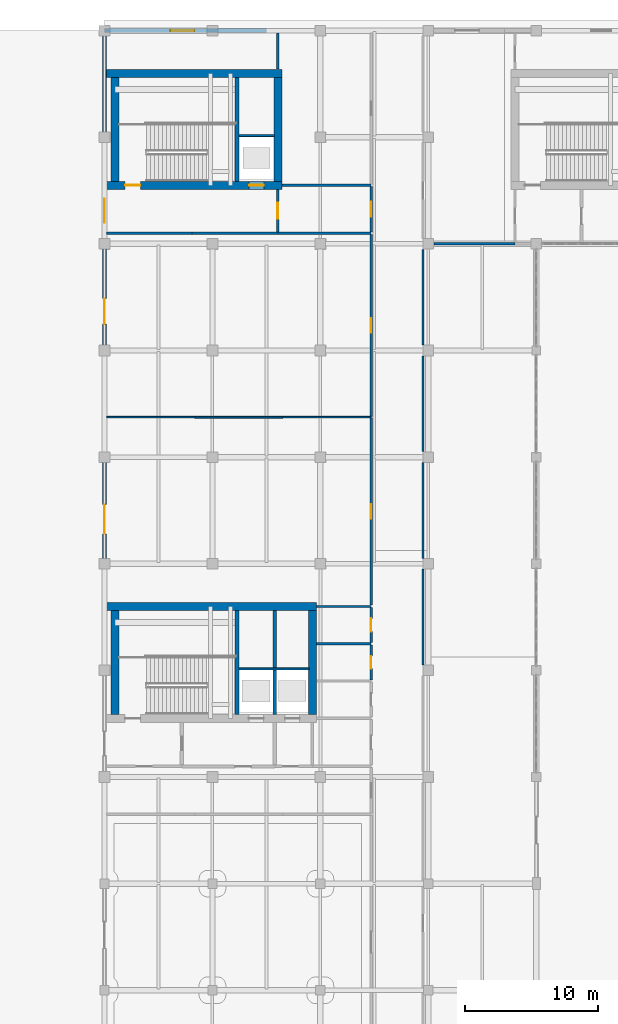
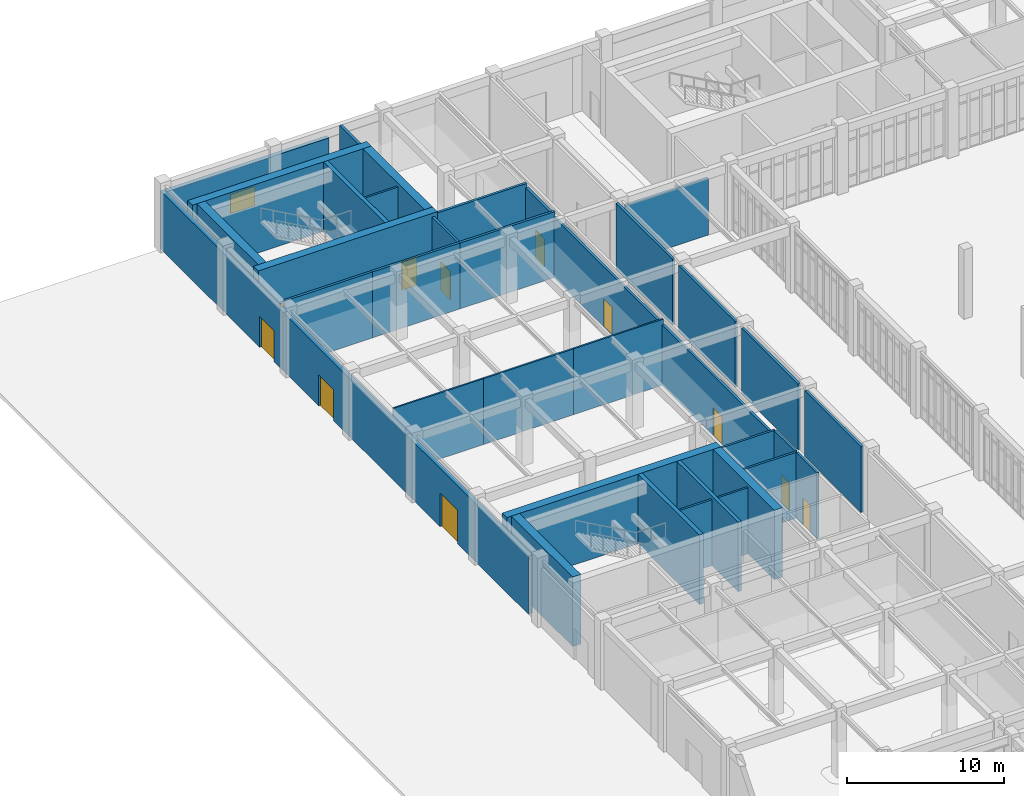
# One storey, part 45 of 62: 37 walls, 11 doors, 1 window, 12 openings.
"""IFC4 building model written with IfcOpenShell, lengths in metres."""

from ifc_helpers import new_model, si_unit, direction, frame, frame_2d, origin, place, context, subcontext, project, spatial, rectangle, extrude, material, layer, layer_set, type_object, element, fill, save


model = new_model("IFC4")

# Units and contexts
model_context = context("Model", 3, precision=1e-05, world=origin(), true_north=direction((0.0, 1.0)))
body_context = subcontext(model_context, "Body", "Model", "MODEL_VIEW")
ifc_project = project(units=[si_unit("LENGTHUNIT", "METRE"), si_unit("AREAUNIT", "SQUARE_METRE"), si_unit("VOLUMEUNIT", "CUBIC_METRE"), si_unit("PLANEANGLEUNIT", "RADIAN"), si_unit("MASSUNIT", "GRAM", prefix="KILO")], contexts=[model_context])

# Site, building, storey
site_placement = place(None, origin())
site = spatial("IfcSite", under=ifc_project, at=site_placement, CompositionType="ELEMENT")
building_placement = place(site_placement, origin())
building = spatial("IfcBuilding", under=site, at=building_placement, Name="Tarnveldt Square Police Headquarters", CompositionType="ELEMENT")
storey_placement = place(building_placement, origin())
storey = spatial("IfcBuildingStorey", under=building, at=storey_placement, Name="L00", CompositionType="ELEMENT", Elevation=0.0)

# Walls
ifc_material_1 = material(Name="Fire-rated Type X gypsum board on steel studs", Category="steel")
ifc_layer_1 = layer(ifc_material_1, 0.199951171875)
ifc_layer_set_1 = layer_set([ifc_layer_1], Name="Fire-rated Type X gypsum board on steel studs")
wall_type_1 = type_object("IfcWallType", Name="WL-ACOUST-200", PredefinedType="PARTITIONING", material=ifc_layer_set_1)
wall_1_placement = place(storey_placement, frame((29.199951171875, 109.10791015625, 0.0), z_axis=(0.0, 0.0, 1.0), x_axis=(0.0, 1.0, 0.0)))
element("IfcWall", 1, at=wall_1_placement, inside=storey, type_object=wall_type_1, Name="L00 Interior Partition Wall 0149", PredefinedType="PARTITIONING", context=body_context, shape_type="SweptSolid", body=[
    extrude(rectangle(XDim=2.734130859375, YDim=0.199951171875, at=frame_2d((1.3671875, 0.0))), origin(), (0.0, 0.0, 1.0), 5.1201171875),
])
ifc_material_2 = material(Name="Concrete 50 MPa", Category="concrete")
ifc_layer_2 = layer(ifc_material_2, 0.449951171875)
ifc_layer_set_2 = layer_set([ifc_layer_2], Name="Concrete 50 MPa")
wall_type_2 = type_object("IfcWallType", Name="WL-CORE-450", PredefinedType="SHEAR", material=ifc_layer_set_2)
wall_2_placement = place(storey_placement, frame((26.14990234375, 60.699951171875, 0.0), z_axis=(0.0, 0.0, 1.0), x_axis=(0.0, 1.0, 0.0)))
element("IfcWall", 2, at=wall_2_placement, inside=storey, type_object=wall_type_2, Name="Core K1 South-West Command and Firefighting Core L00 Stair-Lift Divider Shear Wall", PredefinedType="SHEAR", context=body_context, shape_type="SweptSolid", body=[
    extrude(rectangle(XDim=7.800048828125, YDim=0.300048828125, at=frame_2d((3.89990234375, 0.0))), origin(), (0.0, 0.0, 1.0), 5.39990234375),
])
wall_3_placement = place(storey_placement, frame((28.97509765625, 60.699951171875, 0.0), z_axis=(0.0, 0.0, 1.0), x_axis=(0.0, 1.0, 0.0)))
element("IfcWall", 3, at=wall_3_placement, inside=storey, type_object=wall_type_2, Name="Core K1 South-West Command and Firefighting Core L00 Dual-Lift Shaft Divider Wall", PredefinedType="SHEAR", context=body_context, shape_type="SweptSolid", body=[
    extrude(rectangle(XDim=7.800048828125, YDim=0.25, at=frame_2d((3.89990234375, 0.0))), origin(), (0.0, 0.0, 1.0), 5.39990234375),
])
wall_4_placement = place(storey_placement, frame((26.14990234375, 100.699951171875, 0.0), z_axis=(0.0, 0.0, 1.0), x_axis=(0.0, 1.0, 0.0)))
element("IfcWall", 4, at=wall_4_placement, inside=storey, type_object=wall_type_2, Name="Core K2 North-West Operations Core L00 Stair-Lift Divider Shear Wall", PredefinedType="SHEAR", context=body_context, shape_type="SweptSolid", body=[
    extrude(rectangle(XDim=7.800048828125, YDim=0.300048828125, at=frame_2d((3.89990234375, 0.0))), origin(), (0.0, 0.0, 1.0), 5.39990234375),
])
ifc_layer_3 = layer(ifc_material_2, 0.60009765625)
ifc_layer_set_3 = layer_set([ifc_layer_3], Name="Concrete 50 MPa")
wall_type_3 = type_object("IfcWallType", Name="WL-CORE-600", PredefinedType="SHEAR", material=ifc_layer_set_3)
wall_5_placement = place(storey_placement, frame((16.360107421875, 68.800048828125, 0.0), z_axis=(0.0, 0.0, 1.0), x_axis=(1.0, 0.0, 0.0)))
element("IfcWall", 5, at=wall_5_placement, inside=storey, type_object=wall_type_3, Name="Core K1 South-West Command and Firefighting Core L00 North Shear Wall", PredefinedType="SHEAR", context=body_context, shape_type="SweptSolid", body=[
    extrude(rectangle(XDim=15.739990234375, YDim=0.60009765625, at=frame_2d((7.8701171875, 0.0))), origin(), (0.0, 0.0, 1.0), 5.39990234375),
])
for number, where, z_axis, x_axis, name in (
    (6, (17.0, 60.699951171875, 0.0), (0.0, 0.0, 1.0), (0.0, 1.0, 0.0), "Core K1 South-West Command and Firefighting Core L00 West Shear Wall"),
    (7, (31.800048828125, 60.699951171875, 0.0), (0.0, 0.0, 1.0), (0.0, 1.0, 0.0), "Core K1 South-West Command and Firefighting Core L00 East Shear Wall"),
):
    element("IfcWall", number, at=place(storey_placement, frame(where, z_axis=z_axis, x_axis=x_axis)), inside=storey, type_object=wall_type_3, Name=name, PredefinedType="SHEAR", context=body_context, shape_type="SweptSolid", body=[
        extrude(rectangle(XDim=7.800048828125, YDim=0.60009765625, at=frame_2d((3.89990234375, 0.0))), origin(), (0.0, 0.0, 1.0), 5.39990234375),
    ])

# Wall, openings, doors
wall_6_placement = place(storey_placement, frame((16.360107421875, 100.39990234375, 0.0), z_axis=(0.0, 0.0, 1.0), x_axis=(1.0, 0.0, 0.0)))
wall_6 = element("IfcWall", 8, at=wall_6_placement, inside=storey, type_object=wall_type_3, Name="Core K2 North-West Operations Core L00 South Shear Wall", PredefinedType="SHEAR", context=body_context, shape_type="SweptSolid", body=[
    extrude(rectangle(XDim=13.139892578125, YDim=0.60009765625, at=frame_2d((6.56982421875, 0.0))), origin(), (0.0, 0.0, 1.0), 5.39990234375),
])
opening_1_placement = place(wall_6_placement, frame((1.389892578125, 0.0, 0.0)))
opening_1 = element("IfcOpeningElement", 9, at=opening_1_placement, cuts=wall_6, Name="Opening D-ST2-L00", PredefinedType="OPENING", context=body_context, shape_type="SweptSolid", body=[
    extrude(rectangle(XDim=1.14990234375, YDim=2.25, at=frame_2d((0.574951171875, 1.125))), frame((0.0, 0.31005859375, 0.0), z_axis=(0.0, -1.0, 0.0), x_axis=(1.0, 0.0, 0.0)), (0.0, 0.0, 1.0), 0.6201171875),
])
opening_2_placement = place(wall_6_placement, frame((10.695068359375, 0.0, 0.0)))
opening_2 = element("IfcOpeningElement", 10, at=opening_2_placement, cuts=wall_6, Name="Opening LD-LP2-L00", PredefinedType="OPENING", context=body_context, shape_type="SweptSolid", body=[
    extrude(rectangle(XDim=1.10009765625, YDim=2.199951171875, at=frame_2d((0.550048828125, 1.10009765625))), frame((0.0, 0.31005859375, 0.0), z_axis=(0.0, -1.0, 0.0), x_axis=(1.0, 0.0, 0.0)), (0.0, 0.0, 1.0), 0.6201171875),
])
ifc_material_3 = material(Name="Insulated hollow metal steel door leaf", Category="steel")
door_type_1 = type_object("IfcDoorType", Name="DR-FD90-1150", OperationType="NOTDEFINED", PredefinedType="DOOR", material=ifc_material_3)
door_1_placement = place(opening_1_placement, frame((1.14990234375, 0.0, 0.0), z_axis=(0.0, 0.0, 1.0), x_axis=(-1.0, 0.0, 0.0)))
door_1 = element("IfcDoor", 11, at=door_1_placement, inside=storey, type_object=door_type_1, Name="Exit Stair ST2 L00 Fire Door", OperationType="SINGLE_SWING_RIGHT", OverallHeight=2.25, OverallWidth=1.14990234375, PredefinedType="DOOR", context=body_context, shape_type="SweptSolid", body=[
    extrude(rectangle(XDim=1.14990234375, YDim=2.25, at=frame_2d((0.574951171875, 1.125))), frame((0.0, 0.02490234375, 0.0), z_axis=(0.0, -1.0, 0.0), x_axis=(1.0, 0.0, 0.0)), (0.0, 0.0, 1.0), 0.050048828125),
])
fill(opening_1, door_1)
ifc_material_4 = material(Name="Steel 350W", Category="steel")
door_type_2 = type_object("IfcDoorType", Name="DR-LD-1100", OperationType="DOUBLE_DOOR_SLIDING", PredefinedType="DOOR", material=ifc_material_4)
door_2_placement = place(opening_2_placement, frame((1.10009765625, 0.0, 0.0), z_axis=(0.0, 0.0, 1.0), x_axis=(-1.0, 0.0, 0.0)))
door_2 = element("IfcDoor", 12, at=door_2_placement, inside=storey, type_object=door_type_2, Name="Elevator LP2 L00 Sliding Landing Door", OperationType="DOUBLE_DOOR_SLIDING", OverallHeight=2.199951171875, OverallWidth=1.10009765625, PredefinedType="DOOR", context=body_context, shape_type="SweptSolid", body=[
    extrude(rectangle(XDim=1.10009765625, YDim=2.199951171875, at=frame_2d((0.550048828125, 1.10009765625))), frame((0.0, 0.02490234375, 0.0), z_axis=(0.0, -1.0, 0.0), x_axis=(1.0, 0.0, 0.0)), (0.0, 0.0, 1.0), 0.050048828125),
])
fill(opening_2, door_2)

# Walls
wall_7_placement = place(storey_placement, frame((16.360107421875, 108.800048828125, 0.0), z_axis=(0.0, 0.0, 1.0), x_axis=(1.0, 0.0, 0.0)))
element("IfcWall", 13, at=wall_7_placement, inside=storey, type_object=wall_type_3, Name="Core K2 North-West Operations Core L00 North Shear Wall", PredefinedType="SHEAR", context=body_context, shape_type="SweptSolid", body=[
    extrude(rectangle(XDim=13.139892578125, YDim=0.60009765625, at=frame_2d((6.56982421875, 0.0))), origin(), (0.0, 0.0, 1.0), 5.39990234375),
])
for number, where, z_axis, x_axis, name in (
    (14, (17.0, 100.699951171875, 0.0), (0.0, 0.0, 1.0), (0.0, 1.0, 0.0), "Core K2 North-West Operations Core L00 West Shear Wall"),
    (15, (29.199951171875, 100.699951171875, 0.0), (0.0, 0.0, 1.0), (0.0, 1.0, 0.0), "Core K2 North-West Operations Core L00 East Shear Wall"),
):
    element("IfcWall", number, at=place(storey_placement, frame(where, z_axis=z_axis, x_axis=x_axis)), inside=storey, type_object=wall_type_3, Name=name, PredefinedType="SHEAR", context=body_context, shape_type="SweptSolid", body=[
        extrude(rectangle(XDim=7.800048828125, YDim=0.60009765625, at=frame_2d((3.89990234375, 0.0))), origin(), (0.0, 0.0, 1.0), 5.39990234375),
    ])

# Wall, opening, window
ifc_material_5 = material(Name="Manganese ironspot clay brick masonry 20 MPa", Category="masonry")
ifc_layer_4 = layer(ifc_material_5, 0.300048828125)
ifc_layer_set_4 = layer_set([ifc_layer_4], Name="Manganese ironspot clay brick masonry 20 MPa")
wall_type_4 = type_object("IfcWallType", Name="WL-EXT-BRK300", PredefinedType="SOLIDWALL", material=ifc_layer_set_4)
wall_8_placement = place(storey_placement, frame((28.35009765625, 112.0, 0.0), z_axis=(0.0, 0.0, 1.0), x_axis=(-1.0, 0.0, 0.0)))
wall_8 = element("IfcWall", 16, at=wall_8_placement, inside=storey, type_object=wall_type_4, Name="L00 Brutalist Exterior Wall 0039", PredefinedType="SOLIDWALL", context=body_context, shape_type="SweptSolid", body=[
    extrude(rectangle(XDim=12.150146484375, YDim=0.300048828125, at=frame_2d((6.0751953125, 0.0))), origin(), (0.0, 0.0, 1.0), 4.412109375),
])
opening_3_placement = place(wall_8_placement, frame((5.39990234375, 0.0, 0.949951171875)))
opening_3 = element("IfcOpeningElement", 17, at=opening_3_placement, cuts=wall_8, Name="Opening W08", PredefinedType="OPENING", context=body_context, shape_type="SweptSolid", body=[
    extrude(rectangle(XDim=1.800048828125, YDim=1.5, at=frame_2d((0.89990234375, 0.75))), frame((0.0, 0.159912109375, 0.0), z_axis=(0.0, -1.0, 0.0), x_axis=(1.0, 0.0, 0.0)), (0.0, 0.0, 1.0), 0.320068359375),
])
ifc_material_6 = material(Name="Triple-glazed low-e laminated vision glass", Category="glass")
window_type = type_object("IfcWindowType", Name="WIN-DR-180x150", PartitioningType="DOUBLE_PANEL_VERTICAL", PredefinedType="WINDOW", material=ifc_material_6)
window_placement = place(opening_3_placement, origin())
window = element("IfcWindow", 18, at=window_placement, inside=storey, type_object=window_type, Name="L00 Deep-Reveal Brutalist Window 0008", OverallHeight=1.5, OverallWidth=1.800048828125, PartitioningType="DOUBLE_PANEL_VERTICAL", PredefinedType="WINDOW", context=body_context, shape_type="SweptSolid", body=[
    extrude(rectangle(XDim=1.800048828125, YDim=1.5, at=frame_2d((0.89990234375, 0.75))), frame((0.0, 0.030029296875, 0.0), z_axis=(0.0, -1.0, 0.0), x_axis=(1.0, 0.0, 0.0)), (0.0, 0.0, 1.0), 0.06005859375),
])
fill(opening_3, window)

# Wall, opening, door
wall_9_placement = place(storey_placement, frame((16.199951171875, 112.0, 0.0), z_axis=(0.0, 0.0, 1.0), x_axis=(0.0, -1.0, 0.0)))
wall_9 = element("IfcWall", 19, at=wall_9_placement, inside=storey, type_object=wall_type_4, Name="L00 Brutalist Exterior Wall 0040", PredefinedType="SOLIDWALL", context=body_context, shape_type="SweptSolid", body=[
    extrude(rectangle(XDim=15.60009765625, YDim=0.300048828125, at=frame_2d((7.800048828125, 0.0))), origin(), (0.0, 0.0, 1.0), 4.511962890625),
])
opening_4_placement = place(wall_9_placement, frame((12.60009765625, 0.0, 0.0)))
opening_4 = element("IfcOpeningElement", 20, at=opening_4_placement, cuts=wall_9, Name="Opening D-E19", PredefinedType="OPENING", context=body_context, shape_type="SweptSolid", body=[
    extrude(rectangle(XDim=1.800048828125, YDim=2.39990234375, at=frame_2d((0.89990234375, 1.199951171875))), frame((0.0, 0.159912109375, 0.0), z_axis=(0.0, -1.0, 0.0), x_axis=(1.0, 0.0, 0.0)), (0.0, 0.0, 1.0), 0.320068359375),
])
ifc_material_7 = material(Name="Thermally broken anodised aluminium 6063-T6", Category="aluminium")
door_type_3 = type_object("IfcDoorType", Name="DR-EXIT-1800", OperationType="DOUBLE_DOOR_SINGLE_SWING", PredefinedType="DOOR", material=ifc_material_7)
door_3_placement = place(opening_4_placement, frame((1.800048828125, 0.0, 0.0), z_axis=(0.0, 0.0, 1.0), x_axis=(-1.0, 0.0, 0.0)))
door_3 = element("IfcDoor", 21, at=door_3_placement, inside=storey, type_object=door_type_3, Name="Exit Stair ST2 Grade Final Exit Door D-E19", OperationType="DOUBLE_DOOR_SINGLE_SWING", OverallHeight=2.39990234375, OverallWidth=1.800048828125, PredefinedType="DOOR", context=body_context, shape_type="SweptSolid", body=[
    extrude(rectangle(XDim=1.800048828125, YDim=2.39990234375, at=frame_2d((0.89990234375, 1.199951171875))), frame((0.0, 0.02490234375, 0.0), z_axis=(0.0, -1.0, 0.0), x_axis=(1.0, 0.0, 0.0)), (0.0, 0.0, 1.0), 0.050048828125),
])
fill(opening_4, door_3)

wall_10_placement = place(storey_placement, frame((16.199951171875, 96.39990234375, 0.0), z_axis=(0.0, 0.0, 1.0), x_axis=(0.0, -1.0, 0.0)))
wall_10 = element("IfcWall", 22, at=wall_10_placement, inside=storey, type_object=wall_type_4, Name="L00 Brutalist Exterior Wall 0041", PredefinedType="SOLIDWALL", context=body_context, shape_type="SweptSolid", body=[
    extrude(rectangle(XDim=15.599853515625, YDim=0.300048828125, at=frame_2d((7.7998046875, 0.0))), origin(), (0.0, 0.0, 1.0), 4.511962890625),
])
opening_5_placement = place(wall_10_placement, frame((4.510009765625, 0.0, 0.0)))
opening_5 = element("IfcOpeningElement", 23, at=opening_5_placement, cuts=wall_10, Name="Opening D-E15", PredefinedType="OPENING", context=body_context, shape_type="SweptSolid", body=[
    extrude(rectangle(XDim=1.89990234375, YDim=2.39990234375, at=frame_2d((0.949951171875, 1.199951171875))), frame((0.0, 0.159912109375, 0.0), z_axis=(0.0, -1.0, 0.0), x_axis=(1.0, 0.0, 0.0)), (0.0, 0.0, 1.0), 0.320068359375),
])
door_type_4 = type_object("IfcDoorType", Name="DR-EXIT-1900", OperationType="DOUBLE_DOOR_SINGLE_SWING", PredefinedType="DOOR", material=ifc_material_7)
door_4_placement = place(opening_5_placement, frame((1.89990234375, 0.0, 0.0), z_axis=(0.0, 0.0, 1.0), x_axis=(-1.0, 0.0, 0.0)))
door_4 = element("IfcDoor", 24, at=door_4_placement, inside=storey, type_object=door_type_4, Name="Pedestrian Grade Final Exit Door D-E15", OperationType="DOUBLE_DOOR_SINGLE_SWING", OverallHeight=2.39990234375, OverallWidth=1.89990234375, PredefinedType="DOOR", context=body_context, shape_type="SweptSolid", body=[
    extrude(rectangle(XDim=1.89990234375, YDim=2.39990234375, at=frame_2d((0.949951171875, 1.199951171875))), frame((0.0, 0.02490234375, 0.0), z_axis=(0.0, -1.0, 0.0), x_axis=(1.0, 0.0, 0.0)), (0.0, 0.0, 1.0), 0.050048828125),
])
fill(opening_5, door_4)

wall_11_placement = place(storey_placement, frame((16.199951171875, 80.800048828125, 0.0), z_axis=(0.0, 0.0, 1.0), x_axis=(0.0, -1.0, 0.0)))
wall_11 = element("IfcWall", 25, at=wall_11_placement, inside=storey, type_object=wall_type_4, Name="L00 Brutalist Exterior Wall 0042", PredefinedType="SOLIDWALL", context=body_context, shape_type="SweptSolid", body=[
    extrude(rectangle(XDim=15.60009765625, YDim=0.300048828125, at=frame_2d((7.800048828125, 0.0))), origin(), (0.0, 0.0, 1.0), 4.511962890625),
])
opening_6_placement = place(wall_11_placement, frame((4.360107421875, 0.0, 0.0)))
opening_6 = element("IfcOpeningElement", 26, at=opening_6_placement, cuts=wall_11, Name="Opening D-E16", PredefinedType="OPENING", context=body_context, shape_type="SweptSolid", body=[
    extrude(rectangle(XDim=2.199951171875, YDim=2.60009765625, at=frame_2d((1.10009765625, 1.300048828125))), frame((0.0, 0.159912109375, 0.0), z_axis=(0.0, -1.0, 0.0), x_axis=(1.0, 0.0, 0.0)), (0.0, 0.0, 1.0), 0.320068359375),
])
door_type_5 = type_object("IfcDoorType", Name="DR-EXIT-2200", OperationType="DOUBLE_DOOR_SINGLE_SWING", PredefinedType="DOOR", material=ifc_material_7)
door_5_placement = place(opening_6_placement, frame((2.199951171875, 0.0, 0.0), z_axis=(0.0, 0.0, 1.0), x_axis=(-1.0, 0.0, 0.0)))
door_5 = element("IfcDoor", 27, at=door_5_placement, inside=storey, type_object=door_type_5, Name="Pedestrian Grade Final Exit Door D-E16", OperationType="DOUBLE_DOOR_SINGLE_SWING", OverallHeight=2.60009765625, OverallWidth=2.199951171875, PredefinedType="DOOR", context=body_context, shape_type="SweptSolid", body=[
    extrude(rectangle(XDim=2.199951171875, YDim=2.60009765625, at=frame_2d((1.10009765625, 1.300048828125))), frame((0.0, 0.02490234375, 0.0), z_axis=(0.0, -1.0, 0.0), x_axis=(1.0, 0.0, 0.0)), (0.0, 0.0, 1.0), 0.050048828125),
])
fill(opening_6, door_5)

# Walls
ifc_layer_5 = layer(ifc_material_1, 0.179931640625)
ifc_layer_set_5 = layer_set([ifc_layer_5], Name="Fire-rated Type X gypsum board on steel studs")
wall_type_5 = type_object("IfcWallType", Name="WL-FIRE-180", PredefinedType="PARTITIONING", material=ifc_layer_set_5)
wall_12_placement = place(storey_placement, frame((16.35791015625, 96.800048828125, 0.0), z_axis=(0.0, 0.0, 1.0), x_axis=(1.0, 0.0, 0.0)))
element("IfcWall", 28, at=wall_12_placement, inside=storey, type_object=wall_type_5, Name="L00 Interior Partition Wall 0114", PredefinedType="PARTITIONING", context=body_context, shape_type="SweptSolid", body=[
    extrude(rectangle(XDim=6.421142578125, YDim=0.179931640625, at=frame_2d((3.21044921875, 0.0))), origin(), (0.0, 0.0, 1.0), 5.1201171875),
])
wall_13_placement = place(storey_placement, frame((22.779052734375, 96.800048828125, 0.0), z_axis=(0.0, 0.0, 1.0), x_axis=(1.0, 0.0, 0.0)))
element("IfcWall", 29, at=wall_13_placement, inside=storey, type_object=wall_type_5, Name="L00 Interior Partition Wall 0115", PredefinedType="PARTITIONING", context=body_context, shape_type="SweptSolid", body=[
    extrude(rectangle(XDim=6.4208984375, YDim=0.179931640625, at=frame_2d((3.21044921875, 0.0))), origin(), (0.0, 0.0, 1.0), 5.1201171875),
])
wall_14_placement = place(storey_placement, frame((29.199951171875, 96.800048828125, 0.0), z_axis=(0.0, 0.0, 1.0), x_axis=(1.0, 0.0, 0.0)))
element("IfcWall", 30, at=wall_14_placement, inside=storey, type_object=wall_type_5, Name="L00 Interior Partition Wall 0119", PredefinedType="PARTITIONING", context=body_context, shape_type="SweptSolid", body=[
    extrude(rectangle(XDim=7.0, YDim=0.179931640625, at=frame_2d((3.5, 0.0))), origin(), (0.0, 0.0, 1.0), 5.1201171875),
])
wall_15_placement = place(storey_placement, frame((29.5, 100.39990234375, 0.0), z_axis=(0.0, 0.0, 1.0), x_axis=(1.0, 0.0, 0.0)))
element("IfcWall", 31, at=wall_15_placement, inside=storey, type_object=wall_type_5, Name="L00 Interior Partition Wall 0120", PredefinedType="PARTITIONING", context=body_context, shape_type="SweptSolid", body=[
    extrude(rectangle(XDim=6.699951171875, YDim=0.179931640625, at=frame_2d((3.35009765625, 0.0))), origin(), (0.0, 0.0, 1.0), 5.1201171875),
])
wall_16_placement = place(storey_placement, frame((40.907958984375, 96.0, 0.0), z_axis=(0.0, 0.0, 1.0), x_axis=(1.0, 0.0, 0.0)))
element("IfcWall", 32, at=wall_16_placement, inside=storey, type_object=wall_type_5, Name="L00 Interior Partition Wall 0129", PredefinedType="PARTITIONING", context=body_context, shape_type="SweptSolid", body=[
    extrude(rectangle(XDim=6.092041015625, YDim=0.179931640625, at=frame_2d((3.0458984375, 0.0))), origin(), (0.0, 0.0, 1.0), 4.412109375),
])

# Wall, opening, door
wall_17_placement = place(storey_placement, frame((29.199951171875, 96.89794921875, 0.0), z_axis=(0.0, 0.0, 1.0), x_axis=(0.0, 1.0, 0.0)))
wall_17 = element("IfcWall", 33, at=wall_17_placement, inside=storey, type_object=wall_type_5, Name="L00 Interior Partition Wall 0148", PredefinedType="PARTITIONING", context=body_context, shape_type="SweptSolid", body=[
    extrude(rectangle(XDim=3.194091796875, YDim=0.179931640625, at=frame_2d((1.59716796875, 0.0))), origin(), (0.0, 0.0, 1.0), 5.1201171875),
])
opening_7_placement = place(wall_17_placement, frame((0.9970703125, 0.0, 0.0)))
opening_7 = element("IfcOpeningElement", 34, at=opening_7_placement, cuts=wall_17, Name="Opening D16", PredefinedType="OPENING", context=body_context, shape_type="SweptSolid", body=[
    extrude(rectangle(XDim=1.199951171875, YDim=2.199951171875, at=frame_2d((0.60009765625, 1.10009765625))), frame((0.0, 0.099853515625, 0.0), z_axis=(0.0, -1.0, 0.0), x_axis=(1.0, 0.0, 0.0)), (0.0, 0.0, 1.0), 0.199951171875),
])
door_type_6 = type_object("IfcDoorType", Name="DR-FD60-1200", OperationType="NOTDEFINED", PredefinedType="DOOR", material=ifc_material_3)
door_6_placement = place(opening_7_placement, frame((1.199951171875, 0.0, 0.0), z_axis=(0.0, 0.0, 1.0), x_axis=(-1.0, 0.0, 0.0)))
door_6 = element("IfcDoor", 35, at=door_6_placement, inside=storey, type_object=door_type_6, Name="Core Lift Lobby K2-L00 Door", OperationType="SINGLE_SWING_LEFT", OverallHeight=2.199951171875, OverallWidth=1.199951171875, PredefinedType="DOOR", context=body_context, shape_type="SweptSolid", body=[
    extrude(rectangle(XDim=1.199951171875, YDim=2.199951171875, at=frame_2d((0.60009765625, 1.10009765625))), frame((0.0, 0.02490234375, 0.0), z_axis=(0.0, -1.0, 0.0), x_axis=(1.0, 0.0, 0.0)), (0.0, 0.0, 1.0), 0.050048828125),
])
fill(opening_7, door_6)

wall_18_placement = place(storey_placement, frame((36.199951171875, 63.2880859375, 0.0), z_axis=(0.0, 0.0, 1.0), x_axis=(0.0, 1.0, 0.0)))
wall_18 = element("IfcWall", 36, at=wall_18_placement, inside=storey, type_object=wall_type_5, Name="L00 Interior Partition Wall 0159", PredefinedType="PARTITIONING", context=body_context, shape_type="SweptSolid", body=[
    extrude(rectangle(XDim=2.6240234375, YDim=0.179931640625, at=frame_2d((1.31201171875, 0.0))), origin(), (0.0, 0.0, 1.0), 5.1201171875),
])
opening_8_placement = place(wall_18_placement, frame((0.8369140625, 0.0, 0.0)))
opening_8 = element("IfcOpeningElement", 37, at=opening_8_placement, cuts=wall_18, Name="Opening D02", PredefinedType="OPENING", context=body_context, shape_type="SweptSolid", body=[
    extrude(rectangle(XDim=0.949951171875, YDim=2.10009765625, at=frame_2d((0.47509765625, 1.050048828125))), frame((0.0, 0.099853515625, 0.0), z_axis=(0.0, -1.0, 0.0), x_axis=(1.0, 0.0, 0.0)), (0.0, 0.0, 1.0), 0.199951171875),
])
ifc_material_8 = material(Name="Solid core architectural birch door leaf", Category="wood")
door_type_7 = type_object("IfcDoorType", Name="DR-WC-950", OperationType="NOTDEFINED", PredefinedType="DOOR", material=ifc_material_8)
door_7_placement = place(opening_8_placement, origin())
door_7 = element("IfcDoor", 38, at=door_7_placement, inside=storey, type_object=door_type_7, Name="Women Washroom L00 Door", OperationType="SINGLE_SWING_RIGHT", OverallHeight=2.10009765625, OverallWidth=0.949951171875, PredefinedType="DOOR", context=body_context, shape_type="SweptSolid", body=[
    extrude(rectangle(XDim=0.949951171875, YDim=2.10009765625, at=frame_2d((0.47509765625, 1.050048828125))), frame((0.0, 0.02490234375, 0.0), z_axis=(0.0, -1.0, 0.0), x_axis=(1.0, 0.0, 0.0)), (0.0, 0.0, 1.0), 0.050048828125),
])
fill(opening_8, door_7)

wall_19_placement = place(storey_placement, frame((36.199951171875, 66.087890625, 0.0), z_axis=(0.0, 0.0, 1.0), x_axis=(0.0, 1.0, 0.0)))
wall_19 = element("IfcWall", 39, at=wall_19_placement, inside=storey, type_object=wall_type_5, Name="L00 Interior Partition Wall 0160", PredefinedType="PARTITIONING", context=body_context, shape_type="SweptSolid", body=[
    extrude(rectangle(XDim=2.6240234375, YDim=0.179931640625, at=frame_2d((1.31201171875, 0.0))), origin(), (0.0, 0.0, 1.0), 5.1201171875),
])
opening_9_placement = place(wall_19_placement, frame((0.81201171875, 0.0, 0.0)))
opening_9 = element("IfcOpeningElement", 40, at=opening_9_placement, cuts=wall_19, Name="Opening D04", PredefinedType="OPENING", context=body_context, shape_type="SweptSolid", body=[
    extrude(rectangle(XDim=1.0, YDim=2.14990234375, at=frame_2d((0.5, 1.074951171875))), frame((0.0, 0.099853515625, 0.0), z_axis=(0.0, -1.0, 0.0), x_axis=(1.0, 0.0, 0.0)), (0.0, 0.0, 1.0), 0.199951171875),
])
door_type_8 = type_object("IfcDoorType", Name="DR-ACC-1000", OperationType="NOTDEFINED", PredefinedType="DOOR", material=ifc_material_8)
door_8_placement = place(opening_9_placement, origin())
door_8 = element("IfcDoor", 41, at=door_8_placement, inside=storey, type_object=door_type_8, Name="Accessible WC L00 Door", OperationType="SINGLE_SWING_LEFT", OverallHeight=2.14990234375, OverallWidth=1.0, PredefinedType="DOOR", context=body_context, shape_type="SweptSolid", body=[
    extrude(rectangle(XDim=1.0, YDim=2.14990234375, at=frame_2d((0.5, 1.074951171875))), frame((0.0, 0.02490234375, 0.0), z_axis=(0.0, -1.0, 0.0), x_axis=(1.0, 0.0, 0.0)), (0.0, 0.0, 1.0), 0.050048828125),
])
fill(opening_9, door_8)

wall_20_placement = place(storey_placement, frame((36.199951171875, 68.887939453125, 0.0), z_axis=(0.0, 0.0, 1.0), x_axis=(0.0, 1.0, 0.0)))
wall_20 = element("IfcWall", 42, at=wall_20_placement, inside=storey, type_object=wall_type_5, Name="L00 Interior Partition Wall 0161", PredefinedType="PARTITIONING", context=body_context, shape_type="SweptSolid", body=[
    extrude(rectangle(XDim=14.0439453125, YDim=0.179931640625, at=frame_2d((7.02197265625, 0.0))), origin(), (0.0, 0.0, 1.0), 4.705078125),
])
opening_10_placement = place(wall_20_placement, frame((6.471923828125, 0.0, 0.0)))
opening_10 = element("IfcOpeningElement", 43, at=opening_10_placement, cuts=wall_20, Name="Opening D07", PredefinedType="OPENING", context=body_context, shape_type="SweptSolid", body=[
    extrude(rectangle(XDim=1.10009765625, YDim=2.199951171875, at=frame_2d((0.550048828125, 1.10009765625))), frame((0.0, 0.099853515625, 0.0), z_axis=(0.0, -1.0, 0.0), x_axis=(1.0, 0.0, 0.0)), (0.0, 0.0, 1.0), 0.199951171875),
])
door_type_9 = type_object("IfcDoorType", Name="DR-INT-1100", OperationType="NOTDEFINED", PredefinedType="DOOR", material=ifc_material_8)
door_9_placement = place(opening_10_placement, origin())
door_9 = element("IfcDoor", 44, at=door_9_placement, inside=storey, type_object=door_type_9, Name="Patrol Kit Issue and Body-Camera Room Door", OperationType="SINGLE_SWING_RIGHT", OverallHeight=2.199951171875, OverallWidth=1.10009765625, PredefinedType="DOOR", context=body_context, shape_type="SweptSolid", body=[
    extrude(rectangle(XDim=1.10009765625, YDim=2.199951171875, at=frame_2d((0.550048828125, 1.10009765625))), frame((0.0, 0.02490234375, 0.0), z_axis=(0.0, -1.0, 0.0), x_axis=(1.0, 0.0, 0.0)), (0.0, 0.0, 1.0), 0.050048828125),
])
fill(opening_10, door_9)

wall_21_placement = place(storey_placement, frame((36.199951171875, 83.068115234375, 0.0), z_axis=(0.0, 0.0, 1.0), x_axis=(0.0, 1.0, 0.0)))
wall_21 = element("IfcWall", 45, at=wall_21_placement, inside=storey, type_object=wall_type_5, Name="L00 Interior Partition Wall 0162", PredefinedType="PARTITIONING", context=body_context, shape_type="SweptSolid", body=[
    extrude(rectangle(XDim=13.6337890625, YDim=0.179931640625, at=frame_2d((6.81689453125, 0.0))), origin(), (0.0, 0.0, 1.0), 4.705078125),
])
opening_11_placement = place(wall_21_placement, frame((6.26708984375, 0.0, 0.0)))
opening_11 = element("IfcOpeningElement", 46, at=opening_11_placement, cuts=wall_21, Name="Opening D07", PredefinedType="OPENING", context=body_context, shape_type="SweptSolid", body=[
    extrude(rectangle(XDim=1.10009765625, YDim=2.199951171875, at=frame_2d((0.550048828125, 1.10009765625))), frame((0.0, 0.099853515625, 0.0), z_axis=(0.0, -1.0, 0.0), x_axis=(1.0, 0.0, 0.0)), (0.0, 0.0, 1.0), 0.199951171875),
])
door_10_placement = place(opening_11_placement, origin())
door_10 = element("IfcDoor", 47, at=door_10_placement, inside=storey, type_object=door_type_9, Name="Officer Report Writing Squad Room Door", OperationType="SINGLE_SWING_LEFT", OverallHeight=2.199951171875, OverallWidth=1.10009765625, PredefinedType="DOOR", context=body_context, shape_type="SweptSolid", body=[
    extrude(rectangle(XDim=1.10009765625, YDim=2.199951171875, at=frame_2d((0.550048828125, 1.10009765625))), frame((0.0, 0.02490234375, 0.0), z_axis=(0.0, -1.0, 0.0), x_axis=(1.0, 0.0, 0.0)), (0.0, 0.0, 1.0), 0.050048828125),
])
fill(opening_11, door_10)

wall_22_placement = place(storey_placement, frame((36.199951171875, 96.89794921875, 0.0), z_axis=(0.0, 0.0, 1.0), x_axis=(0.0, 1.0, 0.0)))
wall_22 = element("IfcWall", 48, at=wall_22_placement, inside=storey, type_object=wall_type_5, Name="L00 Interior Partition Wall 0163", PredefinedType="PARTITIONING", context=body_context, shape_type="SweptSolid", body=[
    extrude(rectangle(XDim=3.404052734375, YDim=0.179931640625, at=frame_2d((1.7021484375, 0.0))), origin(), (0.0, 0.0, 1.0), 4.80908203125),
])
opening_12_placement = place(wall_22_placement, frame((1.152099609375, 0.0, 0.0)))
opening_12 = element("IfcOpeningElement", 49, at=opening_12_placement, cuts=wall_22, Name="Opening D15", PredefinedType="OPENING", context=body_context, shape_type="SweptSolid", body=[
    extrude(rectangle(XDim=1.10009765625, YDim=2.199951171875, at=frame_2d((0.550048828125, 1.10009765625))), frame((0.0, 0.099853515625, 0.0), z_axis=(0.0, -1.0, 0.0), x_axis=(1.0, 0.0, 0.0)), (0.0, 0.0, 1.0), 0.199951171875),
])
door_type_10 = type_object("IfcDoorType", Name="DR-FD60-1100", OperationType="NOTDEFINED", PredefinedType="DOOR", material=ifc_material_3)
door_11_placement = place(opening_12_placement, origin())
door_11 = element("IfcDoor", 50, at=door_11_placement, inside=storey, type_object=door_type_10, Name="West Patrol Spine Corridor Door", OperationType="SINGLE_SWING_RIGHT", OverallHeight=2.199951171875, OverallWidth=1.10009765625, PredefinedType="DOOR", context=body_context, shape_type="SweptSolid", body=[
    extrude(rectangle(XDim=1.10009765625, YDim=2.199951171875, at=frame_2d((0.550048828125, 1.10009765625))), frame((0.0, 0.02490234375, 0.0), z_axis=(0.0, -1.0, 0.0), x_axis=(1.0, 0.0, 0.0)), (0.0, 0.0, 1.0), 0.050048828125),
])
fill(opening_12, door_11)

# Walls
for number, where, z_axis, x_axis, name in (
    (51, (40.10009765625, 64.407958984375, 0.0), (0.0, 0.0, 1.0), (0.0, 1.0, 0.0), "L00 Interior Partition Wall 0167"),
    (52, (40.10009765625, 72.407958984375, 0.0), (0.0, 0.0, 1.0), (0.0, 1.0, 0.0), "L00 Interior Partition Wall 0168"),
    (53, (40.10009765625, 80.407958984375, 0.0), (0.0, 0.0, 1.0), (0.0, 1.0, 0.0), "L00 Interior Partition Wall 0169"),
    (54, (40.10009765625, 88.407958984375, 0.0), (0.0, 0.0, 1.0), (0.0, 1.0, 0.0), "L00 Interior Partition Wall 0170"),
):
    element("IfcWall", number, at=place(storey_placement, frame(where, z_axis=z_axis, x_axis=x_axis)), inside=storey, type_object=wall_type_5, Name=name, PredefinedType="PARTITIONING", context=body_context, shape_type="SweptSolid", body=[
        extrude(rectangle(XDim=7.18408203125, YDim=0.179931640625, at=frame_2d((3.592041015625, 0.0))), origin(), (0.0, 0.0, 1.0), 5.1201171875),
    ])
ifc_layer_6 = layer(ifc_material_1, 0.1201171875)
ifc_layer_set_6 = layer_set([ifc_layer_6], Name="Fire-rated Type X gypsum board on steel studs")
wall_type_6 = type_object("IfcWallType", Name="WL-PART-120", PredefinedType="PARTITIONING", material=ifc_layer_set_6)
for number, where, z_axis, x_axis, name in (
    (55, (16.35791015625, 83.0, 0.0), (0.0, 0.0, 1.0), (1.0, 0.0, 0.0), "L00 Interior Partition Wall 0111"),
    (56, (29.5859375, 83.0, 0.0), (0.0, 0.0, 1.0), (1.0, 0.0, 0.0), "L00 Interior Partition Wall 0113"),
):
    element("IfcWall", number, at=place(storey_placement, frame(where, z_axis=z_axis, x_axis=x_axis)), inside=storey, type_object=wall_type_6, Name=name, PredefinedType="PARTITIONING", context=body_context, shape_type="SweptSolid", body=[
        extrude(rectangle(XDim=6.614013671875, YDim=0.1201171875, at=frame_2d((3.30712890625, 0.0))), origin(), (0.0, 0.0, 1.0), 5.1201171875),
    ])
ifc_layer_7 = layer(ifc_material_1, 0.1298828125)
ifc_layer_set_7 = layer_set([ifc_layer_7], Name="Fire-rated Type X gypsum board on steel studs")
wall_type_7 = type_object("IfcWallType", Name="WL-PART-130", PredefinedType="PARTITIONING", material=ifc_layer_set_7)
wall_23_placement = place(storey_placement, frame((22.971923828125, 83.0, 0.0), z_axis=(0.0, 0.0, 1.0), x_axis=(1.0, 0.0, 0.0)))
element("IfcWall", 57, at=wall_23_placement, inside=storey, type_object=wall_type_7, Name="L00 Interior Partition Wall 0112", PredefinedType="PARTITIONING", context=body_context, shape_type="SweptSolid", body=[
    extrude(rectangle(XDim=6.614013671875, YDim=0.1298828125, at=frame_2d((3.30712890625, 0.0))), origin(), (0.0, 0.0, 1.0), 5.1201171875),
])
ifc_layer_8 = layer(ifc_material_1, 0.14990234375)
ifc_layer_set_8 = layer_set([ifc_layer_8], Name="Fire-rated Type X gypsum board on steel studs")
wall_type_8 = type_object("IfcWallType", Name="WL-SHAFT-150", PredefinedType="PARTITIONING", material=ifc_layer_set_8)
wall_24_placement = place(storey_placement, frame((26.300048828125, 64.1201171875, 0.0), z_axis=(0.0, 0.0, 1.0), x_axis=(1.0, 0.0, 0.0)))
element("IfcWall", 58, at=wall_24_placement, inside=storey, type_object=wall_type_8, Name="K1 L00 Elevator Shaft Back Wall", PredefinedType="PARTITIONING", context=body_context, shape_type="SweptSolid", body=[
    extrude(rectangle(XDim=5.25, YDim=0.14990234375, at=frame_2d((2.625, 0.0))), origin(), (0.0, 0.0, 1.0), 5.1201171875),
])
wall_25_placement = place(storey_placement, frame((26.300048828125, 104.1201171875, 0.0), z_axis=(0.0, 0.0, 1.0), x_axis=(1.0, 0.0, 0.0)))
element("IfcWall", 59, at=wall_25_placement, inside=storey, type_object=wall_type_8, Name="K2 L00 Elevator Shaft Back Wall", PredefinedType="PARTITIONING", context=body_context, shape_type="SweptSolid", body=[
    extrude(rectangle(XDim=2.64990234375, YDim=0.14990234375, at=frame_2d((1.324951171875, 0.0))), origin(), (0.0, 0.0, 1.0), 5.1201171875),
])
ifc_material_9 = material(Name="Concrete block masonry 15 MPa", Category="masonry")
ifc_layer_9 = layer(ifc_material_9, 0.159912109375)
ifc_layer_set_9 = layer_set([ifc_layer_9], Name="Concrete block masonry 15 MPa")
wall_type_9 = type_object("IfcWallType", Name="WL-WET-160", PredefinedType="PARTITIONING", material=ifc_layer_set_9)
wall_26_placement = place(storey_placement, frame((32.10791015625, 66.0, 0.0), z_axis=(0.0, 0.0, 1.0), x_axis=(1.0, 0.0, 0.0)))
element("IfcWall", 60, at=wall_26_placement, inside=storey, type_object=wall_type_9, Name="L00 Interior Partition Wall 0124", PredefinedType="PARTITIONING", context=body_context, shape_type="SweptSolid", body=[
    extrude(rectangle(XDim=4.092041015625, YDim=0.159912109375, at=frame_2d((2.0458984375, 0.0))), origin(), (0.0, 0.0, 1.0), 5.1201171875),
])
wall_27_placement = place(storey_placement, frame((32.10009765625, 68.800048828125, 0.0), z_axis=(0.0, 0.0, 1.0), x_axis=(1.0, 0.0, 0.0)))
element("IfcWall", 61, at=wall_27_placement, inside=storey, type_object=wall_type_9, Name="L00 Interior Partition Wall 0125", PredefinedType="PARTITIONING", context=body_context, shape_type="SweptSolid", body=[
    extrude(rectangle(XDim=4.099853515625, YDim=0.159912109375, at=frame_2d((2.0498046875, 0.0))), origin(), (0.0, 0.0, 1.0), 5.1201171875),
])

save(model, "model.ifc")
